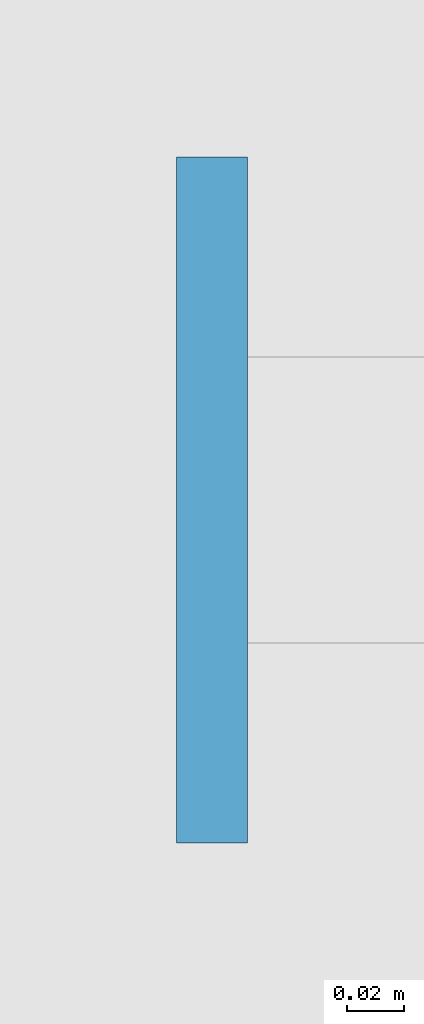
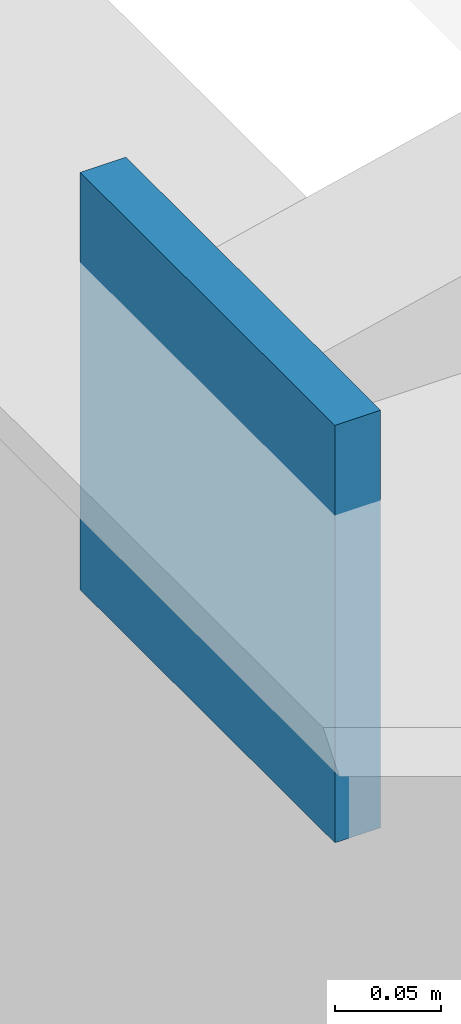
# One storey, part 57 of 74: 1 plate.
"""IFC4 building model written with IfcOpenShell, lengths in metres."""

from ifc_helpers import new_model, si_unit, direction, frame, origin, origin_2d, place, context, subcontext, project, spatial, rectangle, extrude, material, layer, layer_set, type_object, element, save


model = new_model("IFC4")

# Units and contexts
model_context = context("Model", 3, precision=1e-05, world=origin(), true_north=direction((0.0, 1.0)))
body_context = subcontext(model_context, "Body", "Model", "MODEL_VIEW")
ifc_project = project(units=[si_unit("LENGTHUNIT", "METRE"), si_unit("AREAUNIT", "SQUARE_METRE"), si_unit("VOLUMEUNIT", "CUBIC_METRE"), si_unit("PLANEANGLEUNIT", "RADIAN"), si_unit("MASSUNIT", "GRAM", prefix="KILO")], contexts=[model_context])

# Site, building, storey
site_placement = place(None, origin())
site = spatial("IfcSite", under=ifc_project, at=site_placement, CompositionType="ELEMENT")
building_placement = place(site_placement, origin())
building = spatial("IfcBuilding", under=site, at=building_placement, Name="Siltcreek Boulevard Central Fire Station", CompositionType="ELEMENT")
storey_placement = place(building_placement, frame((0.0, 0.0, 25.199951171875)))
storey = spatial("IfcBuildingStorey", under=building, at=storey_placement, Name="RF", CompositionType="ELEMENT", Elevation=25.199951171875)

# Plate
ifc_material = material(Name="Structural steel ASTM A572 Gr50", Category="steel")
ifc_layer = layer(ifc_material, 0.02490234375, Name="Structural steel ASTM A572 Gr50")
ifc_layer_set = layer_set([ifc_layer], Name="Structural steel ASTM A572 Gr50")
plate_type = type_object("IfcPlateType", Name="PL_CAP25", PredefinedType="USERDEFINED", material=ifc_layer_set)
plate_placement = place(storey_placement, frame((124.19970703125, 103.406005859375, -3.943359375), z_axis=(0.0, 0.0, 1.0), x_axis=(1.0, 0.0, 0.0)))
element("IfcPlate", 1, at=plate_placement, inside=storey, type_object=plate_type, Name="Sloped roof purlin PR-0271 sealed end cap 1", ObjectType="END CAP", PredefinedType="USERDEFINED", context=body_context, shape_type="SweptSolid", body=[
    extrude(rectangle(XDim=0.02490234375, YDim=0.239990234375, at=origin_2d()), origin(), (0.0, 0.0, 1.0), 0.239990234375),
])

save(model, "model.ifc")
